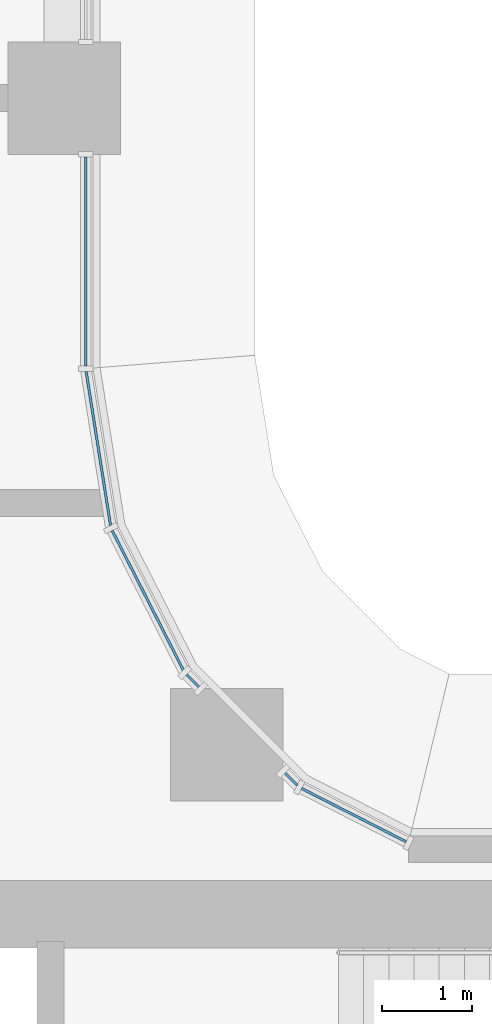
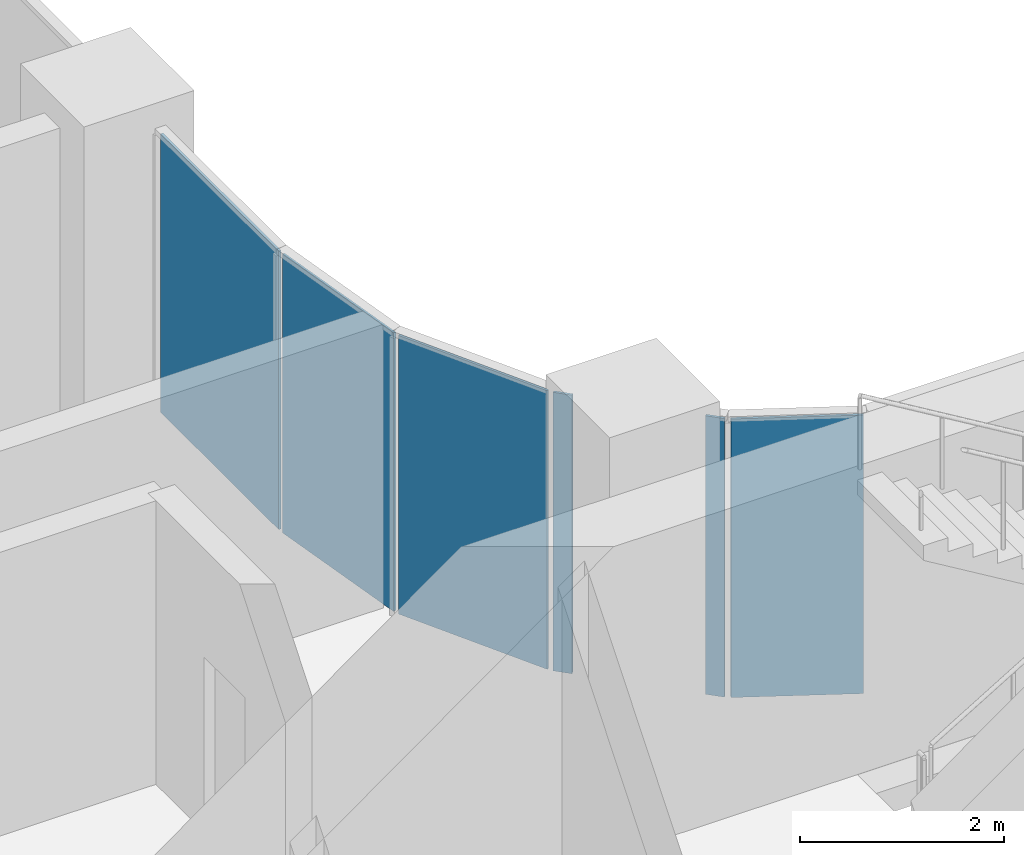
# One storey, part 11 of 33: 6 plates, 3 elements without a shape of their own.
"""IFC4 building model written with IfcOpenShell, lengths in metres."""

from ifc_helpers import new_model, si_unit, direction, frame, origin, origin_2d, place, context, subcontext, project, spatial, rectangle, extrude, material, layer, layer_set, type_object, element, aggregate, save


model = new_model("IFC4")

# Units and contexts
model_context = context("Model", 3, precision=1e-05, world=origin(), true_north=direction((0.0, 1.0)))
body_context = subcontext(model_context, "Body", "Model", "MODEL_VIEW")
ifc_project = project(units=[si_unit("LENGTHUNIT", "METRE"), si_unit("AREAUNIT", "SQUARE_METRE"), si_unit("VOLUMEUNIT", "CUBIC_METRE"), si_unit("PLANEANGLEUNIT", "RADIAN"), si_unit("MASSUNIT", "GRAM", prefix="KILO")], contexts=[model_context])

# Site, building, storey
site_placement = place(None, origin())
site = spatial("IfcSite", under=ifc_project, at=site_placement, CompositionType="ELEMENT")
building_placement = place(site_placement, origin())
building = spatial("IfcBuilding", under=site, at=building_placement, Name="Ogive Portal Towers", CompositionType="ELEMENT")
storey_placement = place(building_placement, frame((0.0, 0.0, 98.199951171875)))
storey = spatial("IfcBuildingStorey", under=building, at=storey_placement, Name="L23", CompositionType="ELEMENT", Elevation=98.199951171875)

# Curtain wall, plate
ifc_material = material(Name="Glass, clear low-iron insulated glazing", Category="glass")
curtain_wall_type = type_object("IfcCurtainWallType", Name="CW FRONT RIBBON 4500", PredefinedType="NOTDEFINED", material=ifc_material)
curtain_wall_1_placement = place(storey_placement, origin())
curtain_wall_1 = element("IfcCurtainWall", 1, at=curtain_wall_1_placement, inside=storey, type_object=curtain_wall_type, Name="A:L23:f06:cw0~0", PredefinedType="NOTDEFINED")
ifc_layer = layer(ifc_material, 0.028076171875)
ifc_layer_set = layer_set([ifc_layer], Name="CW PANEL IGU 28")
plate_type = type_object("IfcPlateType", Name="CW PANEL IGU 28", PredefinedType="CURTAIN_PANEL", material=ifc_layer_set)
plate_1_placement = place(storey_placement, frame((49.739990234375, 46.684326171875, 0.0), z_axis=(0.0, 0.0, 1.0), x_axis=(0.0, 1.0, 0.0)))
plate_1 = element("IfcPlate", 2, at=plate_1_placement, type_object=plate_type, Name="panel", PredefinedType="CURTAIN_PANEL", context=body_context, shape_type="SweptSolid", body=[
    extrude(rectangle(XDim=2.3212890625, YDim=0.028076171875, at=origin_2d()), origin(), (0.0, 0.0, 1.0), 3.340087890625),
])
aggregate(curtain_wall_1, [plate_1])

# Curtain wall, plates
curtain_wall_2_placement = place(storey_placement, origin())
curtain_wall_2 = element("IfcCurtainWall", 3, at=curtain_wall_2_placement, inside=storey, type_object=curtain_wall_type, Name="A:L23:f02:cwa~0", PredefinedType="NOTDEFINED")
plate_2_placement = place(storey_placement, frame((52.721435546875, 40.529541015625, 0.0), z_axis=(0.0, 0.0, 1.0), x_axis=(-0.891006524188, 0.45399049974, 0.0)))
plate_2 = element("IfcPlate", 4, at=plate_2_placement, type_object=plate_type, Name="panel", PredefinedType="CURTAIN_PANEL", context=body_context, shape_type="SweptSolid", body=[
    extrude(rectangle(XDim=1.303955078125, YDim=0.028076171875, at=origin_2d()), origin(), (0.0, 0.0, 1.0), 3.340087890625),
])
plate_3_placement = place(storey_placement, frame((52.0244140625, 40.9287109375, 0.0), z_axis=(0.0, 0.0, 1.0), x_axis=(-0.707106781187, 0.707106781187, 0.0)))
plate_3 = element("IfcPlate", 5, at=plate_3_placement, type_object=plate_type, Name="panel", PredefinedType="CURTAIN_PANEL", context=body_context, shape_type="SweptSolid", body=[
    extrude(rectangle(XDim=0.19287109375, YDim=0.028076171875, at=origin_2d()), origin(), (0.0, 0.0, 1.0), 3.340087890625),
])
aggregate(curtain_wall_2, [plate_2, plate_3])

curtain_wall_3_placement = place(storey_placement, origin())
curtain_wall_3 = element("IfcCurtainWall", 6, at=curtain_wall_3_placement, inside=storey, type_object=curtain_wall_type, Name="A:L23:f02:cwa~1", PredefinedType="NOTDEFINED")
plate_4_placement = place(storey_placement, frame((50.9287109375, 42.0244140625, 0.0), z_axis=(0.0, 0.0, 1.0), x_axis=(-0.707106781187, 0.707106781187, 0.0)))
plate_4 = element("IfcPlate", 7, at=plate_4_placement, type_object=plate_type, Name="panel", PredefinedType="CURTAIN_PANEL", context=body_context, shape_type="SweptSolid", body=[
    extrude(rectangle(XDim=0.19287109375, YDim=0.028076171875, at=origin_2d()), origin(), (0.0, 0.0, 1.0), 3.340087890625),
])
plate_5_placement = place(storey_placement, frame((50.43017578125, 42.916748046875, 0.0), z_axis=(0.0, 0.0, 1.0), x_axis=(-0.45399049974, 0.891006524188, 0.0)))
plate_5 = element("IfcPlate", 8, at=plate_5_placement, type_object=plate_type, Name="panel", PredefinedType="CURTAIN_PANEL", context=body_context, shape_type="SweptSolid", body=[
    extrude(rectangle(XDim=1.742431640625, YDim=0.028076171875, at=origin_2d()), origin(), (0.0, 0.0, 1.0), 3.340087890625),
])
plate_6_placement = place(storey_placement, frame((49.88037109375, 44.606689453125, 0.0), z_axis=(0.0, 0.0, 1.0), x_axis=(-0.15643446504, 0.987688340595, 0.0)))
plate_6 = element("IfcPlate", 9, at=plate_6_placement, type_object=plate_type, Name="panel", PredefinedType="CURTAIN_PANEL", context=body_context, shape_type="SweptSolid", body=[
    extrude(rectangle(XDim=1.736083984375, YDim=0.028076171875, at=origin_2d()), origin(), (0.0, 0.0, 1.0), 3.340087890625),
])
aggregate(curtain_wall_3, [plate_4, plate_5, plate_6])

save(model, "model.ifc")
